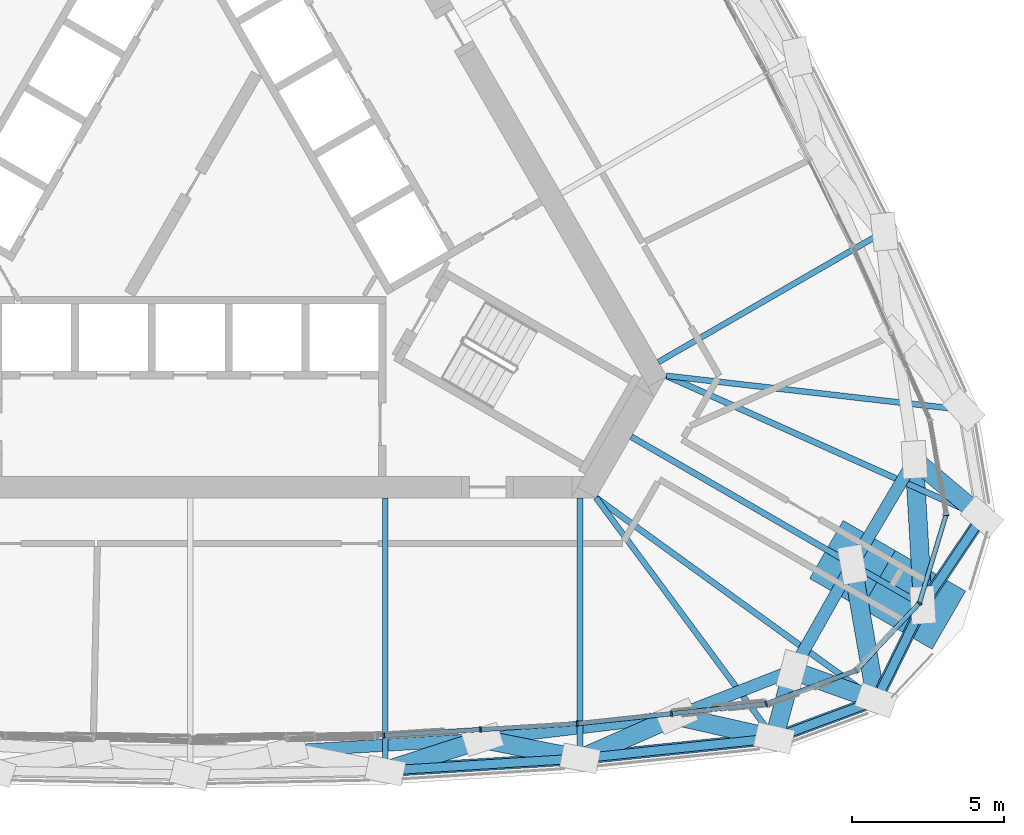
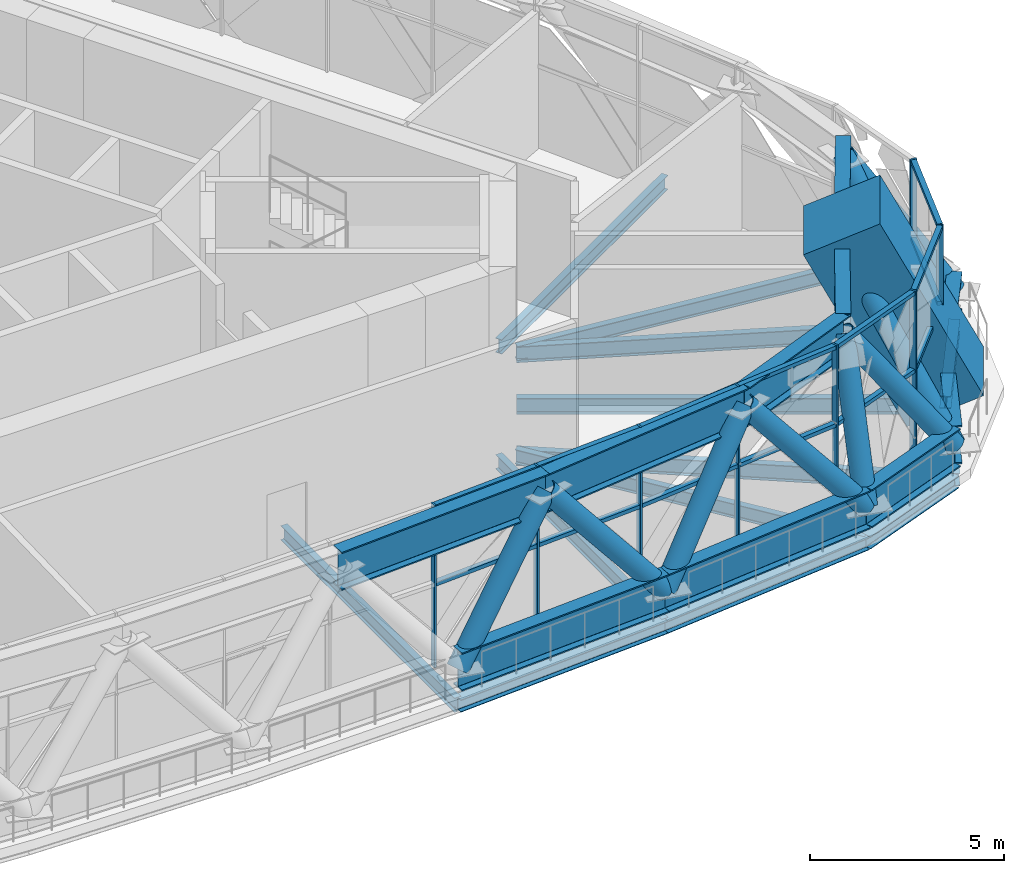
# One storey, part 5 of 33: 42 members, 13 beams, 2 elements without a shape of their own.
"""IFC4 building model written with IfcOpenShell, lengths in metres."""

from ifc_helpers import new_model, si_unit, direction, frame, origin, origin_2d, place, context, subcontext, project, spatial, rectangle, hollow_circle, i_section, extrude, material, material_profile, profile_set, type_object, element, aggregate, save


model = new_model("IFC4")

# Units and contexts
model_context = context("Model", 3, precision=1e-05, world=origin(), true_north=direction((0.0, 1.0)))
body_context = subcontext(model_context, "Body", "Model", "MODEL_VIEW")
ifc_project = project(units=[si_unit("LENGTHUNIT", "METRE"), si_unit("AREAUNIT", "SQUARE_METRE"), si_unit("VOLUMEUNIT", "CUBIC_METRE"), si_unit("PLANEANGLEUNIT", "RADIAN"), si_unit("MASSUNIT", "GRAM", prefix="KILO")], contexts=[model_context])

# Site, building, storey
site_placement = place(None, origin())
site = spatial("IfcSite", under=ifc_project, at=site_placement, CompositionType="ELEMENT")
building_placement = place(site_placement, origin())
building = spatial("IfcBuilding", under=site, at=building_placement, Name="Mestral Congress Tower", CompositionType="ELEMENT")
storey_placement = place(building_placement, frame((0.0, 0.0, 256.199951171875)))
storey = spatial("IfcBuildingStorey", under=building, at=storey_placement, Name="L60", CompositionType="ELEMENT", Elevation=256.199951171875)

# Members
ifc_material_1 = material(Name="Steel S355", Category="steel")
ifc_material_profile_1 = material_profile(ifc_material_1, i_section(OverallWidth=0.39990234375, OverallDepth=1.199951171875, WebThickness=0.02001953125, FlangeThickness=0.0400390625, FilletRadius=0.010009765625, at=origin_2d()), Name="WPG 1200")
ifc_profile_set_1 = profile_set([ifc_material_profile_1], Name="Steel S355")
member_type_1 = type_object("IfcMemberType", Name="Belt chord WPG 1200 S355", PredefinedType="CHORD", material=ifc_profile_set_1)
member_1_placement = place(storey_placement, frame((6.398193359375, -19.2978515625, 0.60009765625), z_axis=(0.998062363273, 0.062221531783, 0.0), x_axis=(-0.062221531783, 0.998062363273, 0.0)))
element("IfcMember", 1, at=member_1_placement, inside=storey, type_object=member_type_1, Name="MB-L60-BC4-S04", PredefinedType="CHORD", context=body_context, shape_type="SweptSolid", body=[
    extrude(i_section(OverallWidth=0.39990234375, OverallDepth=1.199951171875, WebThickness=0.02001953125, FlangeThickness=0.0400390625, FilletRadius=0.010009765625, at=origin_2d()), origin(), (0.0, 0.0, 1.0), 6.399658203125),
])
member_2_placement = place(storey_placement, frame((12.785400390625, -18.899658203125, 0.60009765625), z_axis=(0.99462127512, 0.103578564764, 0.0), x_axis=(-0.103578564764, 0.99462127512, 0.0)))
element("IfcMember", 2, at=member_2_placement, inside=storey, type_object=member_type_1, Name="MB-L60-BC4-S05", PredefinedType="CHORD", context=body_context, shape_type="SweptSolid", body=[
    extrude(i_section(OverallWidth=0.39990234375, OverallDepth=1.199951171875, WebThickness=0.02001953125, FlangeThickness=0.0400390625, FilletRadius=0.010009765625, at=origin_2d()), origin(), (0.0, 0.0, 1.0), 6.3994140625),
])
member_3_placement = place(storey_placement, frame((19.150390625, -18.23681640625, 0.60009765625), z_axis=(0.93759177789, 0.347737915725, 0.0), x_axis=(-0.347737915725, 0.93759177789, 0.0)))
element("IfcMember", 3, at=member_3_placement, inside=storey, type_object=member_type_1, Name="MB-L60-BC4-S06", PredefinedType="CHORD", context=body_context, shape_type="SweptSolid", body=[
    extrude(i_section(OverallWidth=0.39990234375, OverallDepth=1.199951171875, WebThickness=0.02001953125, FlangeThickness=0.0400390625, FilletRadius=0.010009765625, at=origin_2d()), origin(), (0.0, 0.0, 1.0), 3.566650390625),
])
member_4_placement = place(storey_placement, frame((22.494384765625, -16.99658203125, 0.60009765625), z_axis=(0.440494340717, 0.897755387506, 0.0), x_axis=(-0.897755387506, 0.440494340717, 0.0)))
element("IfcMember", 4, at=member_4_placement, inside=storey, type_object=member_type_1, Name="MB-L60-BC4-SE1", PredefinedType="CHORD", context=body_context, shape_type="SweptSolid", body=[
    extrude(i_section(OverallWidth=0.39990234375, OverallDepth=1.199951171875, WebThickness=0.02001953125, FlangeThickness=0.0400390625, FilletRadius=0.010009765625, at=origin_2d()), origin(), (0.0, 0.0, 1.0), 3.47998046875),
])
member_5_placement = place(storey_placement, frame((24.02734375, -13.872314453125, 0.60009765625), z_axis=(0.557206909955, 0.83037368666, 0.0), x_axis=(-0.83037368666, 0.557206909955, 0.0)))
element("IfcMember", 5, at=member_5_placement, inside=storey, type_object=member_type_1, Name="MB-L60-BC4-SE", PredefinedType="CHORD", context=body_context, shape_type="SweptSolid", body=[
    extrude(i_section(OverallWidth=0.39990234375, OverallDepth=1.199951171875, WebThickness=0.02001953125, FlangeThickness=0.0400390625, FilletRadius=0.010009765625, at=origin_2d()), origin(), (0.0, 0.0, 1.0), 3.480224609375),
])
member_6_placement = place(storey_placement, frame((3.199462890625, -18.6552734375, 4.5), z_axis=(0.998220413193, 0.059632262109, 0.0), x_axis=(-0.059632262109, 0.998220413193, 0.0)))
element("IfcMember", 6, at=member_6_placement, inside=storey, type_object=member_type_1, Name="MB-L60-TC4-S03", PredefinedType="CHORD", context=body_context, shape_type="SweptSolid", body=[
    extrude(i_section(OverallWidth=0.39990234375, OverallDepth=1.199951171875, WebThickness=0.02001953125, FlangeThickness=0.0400390625, FilletRadius=0.010009765625, at=origin_2d()), origin(), (0.0, 0.0, 1.0), 6.399169921875),
])
member_7_placement = place(storey_placement, frame((9.587158203125, -18.273681640625, 4.5), z_axis=(0.992889831026, 0.119036899508, 0.0), x_axis=(-0.119036899508, 0.992889831026, 0.0)))
element("IfcMember", 7, at=member_7_placement, inside=storey, type_object=member_type_1, Name="MB-L60-TC4-S04", PredefinedType="CHORD", context=body_context, shape_type="SweptSolid", body=[
    extrude(i_section(OverallWidth=0.39990234375, OverallDepth=1.199951171875, WebThickness=0.02001953125, FlangeThickness=0.0400390625, FilletRadius=0.010009765625, at=origin_2d()), origin(), (0.0, 0.0, 1.0), 6.39892578125),
])
member_8_placement = place(storey_placement, frame((15.940673828125, -17.511962890625, 4.5), z_axis=(0.930991071019, 0.365041950579, 0.0), x_axis=(-0.365041950579, 0.930991071019, 0.0)))
element("IfcMember", 8, at=member_8_placement, inside=storey, type_object=member_type_1, Name="MB-L60-TC4-S05", PredefinedType="CHORD", context=body_context, shape_type="SweptSolid", body=[
    extrude(i_section(OverallWidth=0.39990234375, OverallDepth=1.199951171875, WebThickness=0.02001953125, FlangeThickness=0.0400390625, FilletRadius=0.010009765625, at=origin_2d()), origin(), (0.0, 0.0, 1.0), 4.096435546875),
])
for number, where, z_axis, x_axis, name in (
    (9, (19.75439453125, -16.0166015625, 4.5), (0.491734929562, 0.870744944888, 0.0), (-0.870744944888, 0.491734929562, 0.0), "MB-L60-TC4-SE1"),
    (10, (21.71826171875, -12.5390625, 4.5), (0.508243178708, 0.861213603757, 0.0), (-0.861213603757, 0.508243178708, 0.0), "MB-L60-TC4-SE"),
):
    element("IfcMember", number, at=place(storey_placement, frame(where, z_axis=z_axis, x_axis=x_axis)), inside=storey, type_object=member_type_1, Name=name, PredefinedType="CHORD", context=body_context, shape_type="SweptSolid", body=[
        extrude(i_section(OverallWidth=0.39990234375, OverallDepth=1.199951171875, WebThickness=0.02001953125, FlangeThickness=0.0400390625, FilletRadius=0.010009765625, at=origin_2d()), origin(), (0.0, 0.0, 1.0), 3.99365234375),
    ])
ifc_material_profile_2 = material_profile(ifc_material_1, hollow_circle(Radius=0.304931640625, WallThickness=0.02490234375, at=origin_2d()), Name="CHS 610x25")
ifc_profile_set_2 = profile_set([ifc_material_profile_2], Name="Steel S355")
member_type_2 = type_object("IfcMemberType", Name="Belt diagonal CHS 610x25 S355", PredefinedType="BRACE", material=ifc_profile_set_2)
member_9_placement = place(storey_placement, frame((6.398193359375, -19.2978515625, 0.60009765625), z_axis=(0.620326570133, 0.199224464991, 0.758620167762), x_axis=(-0.305777942447, 0.952102856793, 0.0)))
element("IfcMember", 11, at=member_9_placement, inside=storey, type_object=member_type_2, Name="MD-L60-BD4-S04.S04", PredefinedType="BRACE", context=body_context, shape_type="SweptSolid", body=[
    extrude(hollow_circle(Radius=0.304931640625, WallThickness=0.02490234375, at=origin_2d()), origin(), (0.0, 0.0, 1.0), 5.140869140625),
])
member_10_placement = place(storey_placement, frame((12.785400390625, -18.899658203125, 0.60009765625), z_axis=(-0.629289530132, 0.123167813379, 0.767348927812), x_axis=(-0.192080621307, -0.981379149421, 0.0)))
element("IfcMember", 12, at=member_10_placement, inside=storey, type_object=member_type_2, Name="MD-L60-BD4-S05.S04", PredefinedType="BRACE", context=body_context, shape_type="SweptSolid", body=[
    extrude(hollow_circle(Radius=0.304931640625, WallThickness=0.02490234375, at=origin_2d()), origin(), (0.0, 0.0, 1.0), 5.082275390625),
])
member_11_placement = place(storey_placement, frame((12.785400390625, -18.899658203125, 0.60009765625), z_axis=(0.606215437726, 0.266614712785, 0.749279279034), x_axis=(-0.402586698669, 0.915381860239, 0.0)))
element("IfcMember", 13, at=member_11_placement, inside=storey, type_object=member_type_2, Name="MD-L60-BD4-S05.S05", PredefinedType="BRACE", context=body_context, shape_type="SweptSolid", body=[
    extrude(hollow_circle(Radius=0.304931640625, WallThickness=0.02490234375, at=origin_2d()), origin(), (0.0, 0.0, 1.0), 5.204833984375),
])
member_12_placement = place(storey_placement, frame((19.150390625, -18.23681640625, 0.60009765625), z_axis=(-0.629030644725, 0.142054612017, 0.764291132489), x_axis=(-0.220283643962, -0.975435859605, 0.0)))
element("IfcMember", 14, at=member_12_placement, inside=storey, type_object=member_type_2, Name="MD-L60-BD4-S06.S05", PredefinedType="BRACE", context=body_context, shape_type="SweptSolid", body=[
    extrude(hollow_circle(Radius=0.304931640625, WallThickness=0.02490234375, at=origin_2d()), origin(), (0.0, 0.0, 1.0), 5.1025390625),
])
member_13_placement = place(storey_placement, frame((19.150390625, -18.23681640625, 0.60009765625), z_axis=(0.13339104284, 0.490322612605, 0.861272642813), x_axis=(-0.964930133239, 0.262506834136, 0.0)))
element("IfcMember", 15, at=member_13_placement, inside=storey, type_object=member_type_2, Name="MD-L60-BD4-S06.SE1", PredefinedType="BRACE", context=body_context, shape_type="SweptSolid", body=[
    extrude(hollow_circle(Radius=0.304931640625, WallThickness=0.02490234375, at=origin_2d()), origin(), (0.0, 0.0, 1.0), 4.528076171875),
])
member_14_placement = place(storey_placement, frame((22.494384765625, -16.99658203125, 0.60009765625), z_axis=(-0.563098453181, 0.201396880609, 0.801473286209), x_axis=(-0.336766861466, -0.941588063337, 0.0)))
element("IfcMember", 16, at=member_14_placement, inside=storey, type_object=member_type_2, Name="MD-L60-BD4-SE1.SE1", PredefinedType="BRACE", context=body_context, shape_type="SweptSolid", body=[
    extrude(hollow_circle(Radius=0.304931640625, WallThickness=0.02490234375, at=origin_2d()), origin(), (0.0, 0.0, 1.0), 4.865966796875),
])
member_15_placement = place(storey_placement, frame((22.494384765625, -16.99658203125, 0.60009765625), z_axis=(-0.129930631722, 0.746232612134, 0.652882010419), x_axis=(-0.985178073493, -0.171534729742, 0.0)))
element("IfcMember", 17, at=member_15_placement, inside=storey, type_object=member_type_2, Name="MD-L60-BD4-SE1.SE", PredefinedType="BRACE", context=body_context, shape_type="SweptSolid", body=[
    extrude(hollow_circle(Radius=0.304931640625, WallThickness=0.02490234375, at=origin_2d()), origin(), (0.0, 0.0, 1.0), 5.973388671875),
])
member_16_placement = place(storey_placement, frame((24.02734375, -13.872314453125, 0.60009765625), z_axis=(-0.045268665293, 0.773563931659, 0.632099352617), x_axis=(-0.998292112496, -0.058419672448, 0.0)))
element("IfcMember", 18, at=member_16_placement, inside=storey, type_object=member_type_2, Name="MD-L60-BD4-SE.SE3", PredefinedType="BRACE", context=body_context, shape_type="SweptSolid", body=[
    extrude(hollow_circle(Radius=0.304931640625, WallThickness=0.02490234375, at=origin_2d()), origin(), (0.0, 0.0, 1.0), 6.169677734375),
])
member_17_placement = place(storey_placement, frame((25.966552734375, -10.982421875, 0.60009765625), z_axis=(-0.455938757316, 0.386948354399, 0.801492869965), x_axis=(-0.647066140846, -0.76243387213, 0.0)))
element("IfcMember", 19, at=member_17_placement, inside=storey, type_object=member_type_2, Name="MD-L60-BD4-SE3.SE3", PredefinedType="BRACE", context=body_context, shape_type="SweptSolid", body=[
    extrude(hollow_circle(Radius=0.304931640625, WallThickness=0.02490234375, at=origin_2d()), origin(), (0.0, 0.0, 1.0), 4.86572265625),
])

# Curtain wall, members
ifc_material_2 = material(Name="Clear low-emissivity double glazing", Category="glass")
curtain_wall_type = type_object("IfcCurtainWallType", Name="Facade refuge band screen", PredefinedType="USERDEFINED", material=ifc_material_2)
placement = place(storey_placement, origin())
curtain_wall_1 = element("IfcCurtainWall", 20, at=placement, inside=storey, type_object=curtain_wall_type, Name="Facade refuge band screen face 1", ObjectType="CURTAIN WALL", PredefinedType="USERDEFINED")
ifc_material_3 = material(Name="Anodised aluminium", Category="aluminium")
ifc_material_profile_3 = material_profile(ifc_material_3, rectangle(XDim=0.179931640625, YDim=0.06005859375, at=origin_2d()), Name="CW3 mullion 180 x 60")
ifc_profile_set_3 = profile_set([ifc_material_profile_3], Name="Anodised aluminium")
member_type_3 = type_object("IfcMemberType", Name="Facade refuge band screen mullion", PredefinedType="MULLION", material=ifc_profile_set_3)
member_18_placement = place(storey_placement, frame((6.350341796875, -18.148681640625, 0.0), z_axis=(0.0, 0.0, 1.0), x_axis=(0.041492015025, -0.999138835542, 0.0)))
member_18 = element("IfcMember", 21, at=member_18_placement, type_object=member_type_3, Name="Facade refuge band screen mullion", PredefinedType="MULLION", context=body_context, shape_type="SweptSolid", body=[
    extrude(rectangle(XDim=0.179931640625, YDim=0.06005859375, at=origin_2d()), origin(), (0.0, 0.0, 1.0), 5.10009765625),
])
member_19_placement = place(storey_placement, frame((9.520263671875, -17.950927734375, 0.0), z_axis=(0.0, 0.0, 1.0), x_axis=(0.062217428964, -0.998062619044, 0.0)))
member_19 = element("IfcMember", 22, at=member_19_placement, type_object=member_type_3, Name="Facade refuge band screen mullion", PredefinedType="MULLION", context=body_context, shape_type="SweptSolid", body=[
    extrude(rectangle(XDim=0.179931640625, YDim=0.06005859375, at=origin_2d()), origin(), (0.0, 0.0, 1.0), 5.10009765625),
])
member_20_placement = place(storey_placement, frame((12.68994140625, -17.75341796875, 0.0), z_axis=(0.0, 0.0, 1.0), x_axis=(0.082914306473, -0.996556680667, 0.0)))
member_20 = element("IfcMember", 23, at=member_20_placement, type_object=member_type_3, Name="Facade refuge band screen mullion", PredefinedType="MULLION", context=body_context, shape_type="SweptSolid", body=[
    extrude(rectangle(XDim=0.179931640625, YDim=0.06005859375, at=origin_2d()), origin(), (0.0, 0.0, 1.0), 5.10009765625),
])
member_21_placement = place(storey_placement, frame((15.788330078125, -17.4306640625, 0.0), z_axis=(0.0, 0.0, 1.0), x_axis=(0.103575478711, -0.994621596493, 0.0)))
member_21 = element("IfcMember", 24, at=member_21_placement, type_object=member_type_3, Name="Facade refuge band screen mullion", PredefinedType="MULLION", context=body_context, shape_type="SweptSolid", body=[
    extrude(rectangle(XDim=0.179931640625, YDim=0.06005859375, at=origin_2d()), origin(), (0.0, 0.0, 1.0), 5.10009765625),
])

curtain_wall_2 = element("IfcCurtainWall", 25, at=placement, inside=storey, type_object=curtain_wall_type, Name="Facade refuge band screen corner 1", ObjectType="CURTAIN WALL", PredefinedType="USERDEFINED")
member_22_placement = place(storey_placement, frame((18.88671875, -17.108154296875, 0.0), z_axis=(0.0, 0.0, 1.0), x_axis=(0.347763800219, -0.937582177335, 0.0)))
member_22 = element("IfcMember", 26, at=member_22_placement, type_object=member_type_3, Name="Facade refuge band screen mullion", PredefinedType="MULLION", context=body_context, shape_type="SweptSolid", body=[
    extrude(rectangle(XDim=0.179931640625, YDim=0.06005859375, at=origin_2d()), origin(), (0.0, 0.0, 1.0), 5.10009765625),
])
member_23_placement = place(storey_placement, frame((21.84130859375, -16.01220703125, 0.0), z_axis=(0.0, 0.0, 1.0), x_axis=(0.552913183563, -0.833238868178, 0.0)))
member_23 = element("IfcMember", 27, at=member_23_placement, type_object=member_type_3, Name="Facade refuge band screen mullion", PredefinedType="MULLION", context=body_context, shape_type="SweptSolid", body=[
    extrude(rectangle(XDim=0.179931640625, YDim=0.06005859375, at=origin_2d()), origin(), (0.0, 0.0, 1.0), 5.10009765625),
])
member_24_placement = place(storey_placement, frame((23.913818359375, -13.806640625, 0.0), z_axis=(0.0, 0.0, 1.0), x_axis=(0.866025403784, -0.5, 0.0)))
member_24 = element("IfcMember", 28, at=member_24_placement, type_object=member_type_3, Name="Facade refuge band screen mullion", PredefinedType="MULLION", context=body_context, shape_type="SweptSolid", body=[
    extrude(rectangle(XDim=0.179931640625, YDim=0.06005859375, at=origin_2d()), origin(), (0.0, 0.0, 1.0), 5.10009765625),
])
member_25_placement = place(storey_placement, frame((24.78759765625, -10.908935546875, 0.0), z_axis=(0.0, 0.0, 1.0), x_axis=(0.998062619044, -0.062217428964, 0.0)))
member_25 = element("IfcMember", 29, at=member_25_placement, type_object=member_type_3, Name="Facade refuge band screen mullion", PredefinedType="MULLION", context=body_context, shape_type="SweptSolid", body=[
    extrude(rectangle(XDim=0.179931640625, YDim=0.06005859375, at=origin_2d()), origin(), (0.0, 0.0, 1.0), 5.10009765625),
])

# Member
ifc_material_profile_4 = material_profile(ifc_material_3, rectangle(XDim=0.14990234375, YDim=0.1201171875, at=origin_2d()), Name="CW3 transom 150 x 120")
ifc_profile_set_4 = profile_set([ifc_material_profile_4], Name="Anodised aluminium")
member_type_4 = type_object("IfcMemberType", Name="Facade refuge band screen transom", PredefinedType="USERDEFINED", material=ifc_profile_set_4)
member_26_placement = place(storey_placement, frame((6.38037109375, -18.146728515625, 2.60009765625), z_axis=(0.998062930494, 0.062212432628, 0.0), x_axis=(-0.062212432628, 0.998062930494, 0.0)))
member_26 = element("IfcMember", 30, at=member_26_placement, type_object=member_type_4, Name="Facade refuge band screen transom", ObjectType="TRANSOM", PredefinedType="USERDEFINED", context=body_context, shape_type="SweptSolid", body=[
    extrude(rectangle(XDim=0.14990234375, YDim=0.1201171875, at=origin_2d()), origin(), (0.0, 0.0, 1.0), 3.115966796875),
])

member_27_placement = place(storey_placement, frame((6.38037109375, -18.146728515625, 5.0400390625), z_axis=(0.998062930494, 0.062212432628, 0.0), x_axis=(-0.062212432628, 0.998062930494, 0.0)))
member_27 = element("IfcMember", 31, at=member_27_placement, type_object=member_type_4, Name="Facade refuge band screen transom", ObjectType="TRANSOM", PredefinedType="USERDEFINED", context=body_context, shape_type="SweptSolid", body=[
    extrude(rectangle(XDim=0.14990234375, YDim=0.1201171875, at=origin_2d()), origin(), (0.0, 0.0, 1.0), 3.115966796875),
])

member_28_placement = place(storey_placement, frame((9.550048828125, -17.94921875, 2.60009765625), z_axis=(0.998062930494, 0.062212432628, 0.0), x_axis=(-0.062212432628, 0.998062930494, 0.0)))
member_28 = element("IfcMember", 32, at=member_28_placement, type_object=member_type_4, Name="Facade refuge band screen transom", ObjectType="TRANSOM", PredefinedType="USERDEFINED", context=body_context, shape_type="SweptSolid", body=[
    extrude(rectangle(XDim=0.14990234375, YDim=0.1201171875, at=origin_2d()), origin(), (0.0, 0.0, 1.0), 3.115966796875),
])

member_29_placement = place(storey_placement, frame((9.550048828125, -17.94921875, 5.0400390625), z_axis=(0.998062930494, 0.062212432628, 0.0), x_axis=(-0.062212432628, 0.998062930494, 0.0)))
member_29 = element("IfcMember", 33, at=member_29_placement, type_object=member_type_4, Name="Facade refuge band screen transom", ObjectType="TRANSOM", PredefinedType="USERDEFINED", context=body_context, shape_type="SweptSolid", body=[
    extrude(rectangle(XDim=0.14990234375, YDim=0.1201171875, at=origin_2d()), origin(), (0.0, 0.0, 1.0), 3.115966796875),
])

member_30_placement = place(storey_placement, frame((12.7197265625, -17.750244140625, 2.60009765625), z_axis=(0.994623039785, 0.103561618025, 0.0), x_axis=(-0.103561618025, 0.994623039785, 0.0)))
member_30 = element("IfcMember", 34, at=member_30_placement, type_object=member_type_4, Name="Facade refuge band screen transom", ObjectType="TRANSOM", PredefinedType="USERDEFINED", context=body_context, shape_type="SweptSolid", body=[
    extrude(rectangle(XDim=0.14990234375, YDim=0.1201171875, at=origin_2d()), origin(), (0.0, 0.0, 1.0), 3.05517578125),
])

member_31_placement = place(storey_placement, frame((12.7197265625, -17.750244140625, 5.0400390625), z_axis=(0.994623039785, 0.103561618025, 0.0), x_axis=(-0.103561618025, 0.994623039785, 0.0)))
member_31 = element("IfcMember", 35, at=member_31_placement, type_object=member_type_4, Name="Facade refuge band screen transom", ObjectType="TRANSOM", PredefinedType="USERDEFINED", context=body_context, shape_type="SweptSolid", body=[
    extrude(rectangle(XDim=0.14990234375, YDim=0.1201171875, at=origin_2d()), origin(), (0.0, 0.0, 1.0), 3.05517578125),
])

member_32_placement = place(storey_placement, frame((15.818115234375, -17.427490234375, 2.60009765625), z_axis=(0.994623039785, 0.103561618025, 0.0), x_axis=(-0.103561618025, 0.994623039785, 0.0)))
member_32 = element("IfcMember", 36, at=member_32_placement, type_object=member_type_4, Name="Facade refuge band screen transom", ObjectType="TRANSOM", PredefinedType="USERDEFINED", context=body_context, shape_type="SweptSolid", body=[
    extrude(rectangle(XDim=0.14990234375, YDim=0.1201171875, at=origin_2d()), origin(), (0.0, 0.0, 1.0), 3.05517578125),
])

member_33_placement = place(storey_placement, frame((15.818115234375, -17.427490234375, 5.0400390625), z_axis=(0.994623039785, 0.103561618025, 0.0), x_axis=(-0.103561618025, 0.994623039785, 0.0)))
member_33 = element("IfcMember", 37, at=member_33_placement, type_object=member_type_4, Name="Facade refuge band screen transom", ObjectType="TRANSOM", PredefinedType="USERDEFINED", context=body_context, shape_type="SweptSolid", body=[
    extrude(rectangle(XDim=0.14990234375, YDim=0.1201171875, at=origin_2d()), origin(), (0.0, 0.0, 1.0), 3.05517578125),
])

aggregate(curtain_wall_1, [member_18, member_19, member_20, member_21, member_26, member_27, member_28, member_29, member_30, member_31, member_32, member_33])

member_34_placement = place(storey_placement, frame((18.914794921875, -17.09765625, 2.60009765625), z_axis=(0.937595291353, 0.347728442371, 0.0), x_axis=(-0.347728442371, 0.937595291353, 0.0)))
member_34 = element("IfcMember", 38, at=member_34_placement, type_object=member_type_4, Name="Facade refuge band screen transom", ObjectType="TRANSOM", PredefinedType="USERDEFINED", context=body_context, shape_type="SweptSolid", body=[
    extrude(rectangle(XDim=0.14990234375, YDim=0.1201171875, at=origin_2d()), origin(), (0.0, 0.0, 1.0), 3.09130859375),
])

member_35_placement = place(storey_placement, frame((18.914794921875, -17.09765625, 5.0400390625), z_axis=(0.937595291353, 0.347728442371, 0.0), x_axis=(-0.347728442371, 0.937595291353, 0.0)))
member_35 = element("IfcMember", 39, at=member_35_placement, type_object=member_type_4, Name="Facade refuge band screen transom", ObjectType="TRANSOM", PredefinedType="USERDEFINED", context=body_context, shape_type="SweptSolid", body=[
    extrude(rectangle(XDim=0.14990234375, YDim=0.1201171875, at=origin_2d()), origin(), (0.0, 0.0, 1.0), 3.09130859375),
])

member_36_placement = place(storey_placement, frame((21.86181640625, -15.990234375, 2.60009765625), z_axis=(0.684792033409, 0.728738547752, 0.0), x_axis=(-0.728738547752, 0.684792033409, 0.0)))
member_36 = element("IfcMember", 40, at=member_36_placement, type_object=member_type_4, Name="Facade refuge band screen transom", ObjectType="TRANSOM", PredefinedType="USERDEFINED", context=body_context, shape_type="SweptSolid", body=[
    extrude(rectangle(XDim=0.14990234375, YDim=0.1201171875, at=origin_2d()), origin(), (0.0, 0.0, 1.0), 2.966552734375),
])

member_37_placement = place(storey_placement, frame((21.86181640625, -15.990234375, 5.0400390625), z_axis=(0.684792033409, 0.728738547752, 0.0), x_axis=(-0.728738547752, 0.684792033409, 0.0)))
member_37 = element("IfcMember", 41, at=member_37_placement, type_object=member_type_4, Name="Facade refuge band screen transom", ObjectType="TRANSOM", PredefinedType="USERDEFINED", context=body_context, shape_type="SweptSolid", body=[
    extrude(rectangle(XDim=0.14990234375, YDim=0.1201171875, at=origin_2d()), origin(), (0.0, 0.0, 1.0), 2.966552734375),
])

member_38_placement = place(storey_placement, frame((23.92236328125, -13.77783203125, 2.60009765625), z_axis=(0.288789692452, 0.957392559786, 0.0), x_axis=(-0.957392559786, 0.288789692452, 0.0)))
member_38 = element("IfcMember", 42, at=member_38_placement, type_object=member_type_4, Name="Facade refuge band screen transom", ObjectType="TRANSOM", PredefinedType="USERDEFINED", context=body_context, shape_type="SweptSolid", body=[
    extrude(rectangle(XDim=0.14990234375, YDim=0.1201171875, at=origin_2d()), origin(), (0.0, 0.0, 1.0), 2.966552734375),
])

member_39_placement = place(storey_placement, frame((23.92236328125, -13.77783203125, 5.0400390625), z_axis=(0.288789692452, 0.957392559786, 0.0), x_axis=(-0.957392559786, 0.288789692452, 0.0)))
member_39 = element("IfcMember", 43, at=member_39_placement, type_object=member_type_4, Name="Facade refuge band screen transom", ObjectType="TRANSOM", PredefinedType="USERDEFINED", context=body_context, shape_type="SweptSolid", body=[
    extrude(rectangle(XDim=0.14990234375, YDim=0.1201171875, at=origin_2d()), origin(), (0.0, 0.0, 1.0), 2.966552734375),
])

aggregate(curtain_wall_2, [member_22, member_23, member_24, member_25, member_34, member_35, member_36, member_37, member_38, member_39])

# Beams
ifc_material_profile_5 = material_profile(ifc_material_1, i_section(OverallWidth=0.18994140625, OverallDepth=0.449951171875, WebThickness=0.009521484375, FlangeThickness=0.0146484375, FilletRadius=0.02099609375, at=origin_2d()), Name="IPE 450")
ifc_profile_set_5 = profile_set([ifc_material_profile_5], Name="Steel S355")
beam_type_1 = type_object("IfcBeamType", Name="Floor beam IPE 450 S355", PredefinedType="BEAM", material=ifc_profile_set_5)
beam_1_placement = place(storey_placement, frame((6.398193359375, -19.2978515625, -0.52490234375), z_axis=(0.0, 1.0, 0.0), x_axis=(-1.0, 0.0, 0.0)))
element("IfcBeam", 44, at=beam_1_placement, inside=storey, type_object=beam_type_1, Name="BM-L60-RB4-S04", PredefinedType="BEAM", context=body_context, shape_type="SweptSolid", body=[
    extrude(i_section(OverallWidth=0.18994140625, OverallDepth=0.449951171875, WebThickness=0.009521484375, FlangeThickness=0.0146484375, FilletRadius=0.02099609375, at=origin_2d()), origin(), (0.0, 0.0, 1.0), 8.94775390625),
])
beam_2_placement = place(storey_placement, frame((12.785400390625, -18.899658203125, -0.52490234375), z_axis=(0.0, 1.0, 0.0), x_axis=(-1.0, 0.0, 0.0)))
element("IfcBeam", 45, at=beam_2_placement, inside=storey, type_object=beam_type_1, Name="BM-L60-RB4-S05", PredefinedType="BEAM", context=body_context, shape_type="SweptSolid", body=[
    extrude(i_section(OverallWidth=0.18994140625, OverallDepth=0.449951171875, WebThickness=0.009521484375, FlangeThickness=0.0146484375, FilletRadius=0.02099609375, at=origin_2d()), origin(), (0.0, 0.0, 1.0), 8.549560546875),
])
beam_3_placement = place(storey_placement, frame((19.150390625, -18.23681640625, -0.52490234375), z_axis=(-0.59526145727, 0.803532076204, 0.0), x_axis=(-0.803532076204, -0.59526145727, 0.0)))
element("IfcBeam", 46, at=beam_3_placement, inside=storey, type_object=beam_type_1, Name="BM-L60-RB4-S06", PredefinedType="BEAM", context=body_context, shape_type="SweptSolid", body=[
    extrude(i_section(OverallWidth=0.18994140625, OverallDepth=0.449951171875, WebThickness=0.009521484375, FlangeThickness=0.0146484375, FilletRadius=0.02099609375, at=origin_2d()), origin(), (0.0, 0.0, 1.0), 9.815185546875),
])
beam_4_placement = place(storey_placement, frame((25.368896484375, -7.46630859375, -0.52490234375), z_axis=(-0.993512774848, 0.113720561966, 0.0), x_axis=(-0.113720561966, -0.993512774848, 0.0)))
element("IfcBeam", 47, at=beam_4_placement, inside=storey, type_object=beam_type_1, Name="BM-L60-RB4-E00", PredefinedType="BEAM", context=body_context, shape_type="SweptSolid", body=[
    extrude(i_section(OverallWidth=0.18994140625, OverallDepth=0.449951171875, WebThickness=0.009521484375, FlangeThickness=0.0146484375, FilletRadius=0.02099609375, at=origin_2d()), origin(), (0.0, 0.0, 1.0), 9.8154296875),
])
beam_5_placement = place(storey_placement, frame((22.76025390625, -1.62255859375, -0.52490234375), z_axis=(-0.866023907196, -0.500002592159, 0.0), x_axis=(0.500002592159, -0.866023907196, 0.0)))
element("IfcBeam", 48, at=beam_5_placement, inside=storey, type_object=beam_type_1, Name="BM-L60-RB4-E01", PredefinedType="BEAM", context=body_context, shape_type="SweptSolid", body=[
    extrude(i_section(OverallWidth=0.18994140625, OverallDepth=0.449951171875, WebThickness=0.009521484375, FlangeThickness=0.0146484375, FilletRadius=0.02099609375, at=origin_2d()), origin(), (0.0, 0.0, 1.0), 8.5498046875),
])
ifc_material_profile_6 = material_profile(ifc_material_1, i_section(OverallWidth=0.199951171875, OverallDepth=0.5, WebThickness=0.01025390625, FlangeThickness=0.01611328125, FilletRadius=0.02099609375, at=origin_2d()), Name="IPE 500")
ifc_profile_set_6 = profile_set([ifc_material_profile_6], Name="Steel S355")
beam_type_2 = type_object("IfcBeamType", Name="Floor beam IPE 500 S355", PredefinedType="BEAM", material=ifc_profile_set_6)
beam_6_placement = place(storey_placement, frame((22.494384765625, -16.99658203125, -0.550048828125), z_axis=(-0.810186119518, 0.58617271494, 0.0), x_axis=(-0.58617271494, -0.810186119518, 0.0)))
element("IfcBeam", 49, at=beam_6_placement, inside=storey, type_object=beam_type_2, Name="BM-L60-RB4-SE1", PredefinedType="BEAM", context=body_context, shape_type="SweptSolid", body=[
    extrude(i_section(OverallWidth=0.199951171875, OverallDepth=0.5, WebThickness=0.01025390625, FlangeThickness=0.01611328125, FilletRadius=0.02099609375, at=origin_2d()), origin(), (0.0, 0.0, 1.0), 11.3388671875),
])
beam_7_placement = place(storey_placement, frame((24.02734375, -13.872314453125, -0.550048828125), z_axis=(-0.866014410301, 0.500019040789, 0.0), x_axis=(-0.500019040789, -0.866014410301, 0.0)))
element("IfcBeam", 50, at=beam_7_placement, inside=storey, type_object=beam_type_2, Name="BM-L60-RB4-SE", PredefinedType="BEAM", context=body_context, shape_type="SweptSolid", body=[
    extrude(i_section(OverallWidth=0.199951171875, OverallDepth=0.5, WebThickness=0.01025390625, FlangeThickness=0.01611328125, FilletRadius=0.02099609375, at=origin_2d()), origin(), (0.0, 0.0, 1.0), 11.04443359375),
])
beam_8_placement = place(storey_placement, frame((25.966552734375, -10.982421875, -0.550048828125), z_axis=(-0.912741142231, 0.4085383792, 0.0), x_axis=(-0.4085383792, -0.912741142231, 0.0)))
element("IfcBeam", 51, at=beam_8_placement, inside=storey, type_object=beam_type_2, Name="BM-L60-RB4-SE3", PredefinedType="BEAM", context=body_context, shape_type="SweptSolid", body=[
    extrude(i_section(OverallWidth=0.199951171875, OverallDepth=0.5, WebThickness=0.01025390625, FlangeThickness=0.01611328125, FilletRadius=0.02099609375, at=origin_2d()), origin(), (0.0, 0.0, 1.0), 11.3388671875),
])

# Member
ifc_material_4 = material(Name="Concrete C60/75", Category="concrete")
ifc_material_profile_7 = material_profile(ifc_material_4, rectangle(XDim=2.199951171875, YDim=2.199951171875, at=origin_2d()), Name="RC 2200x2200")
ifc_profile_set_7 = profile_set([ifc_material_profile_7], Name="Concrete C60/75")
member_type_5 = type_object("IfcMemberType", Name="Pylon shift strut RC 2200x2200 C60/75", PredefinedType="STRUT", material=ifc_profile_set_7)
member_40_placement = place(storey_placement, frame((24.02734375, -13.872314453125, 0.0), z_axis=(-0.383406596977, 0.221376974635, 0.896655795997), x_axis=(-0.50002892151, -0.866008705299, 0.0)))
element("IfcMember", 52, at=member_40_placement, inside=storey, type_object=member_type_5, Name="MS-L60-PS4-SE", PredefinedType="STRUT", context=body_context, shape_type="SweptSolid", body=[
    extrude(rectangle(XDim=2.199951171875, YDim=2.199951171875, at=origin_2d()), origin(), (0.0, 0.0, 1.0), 6.0224609375),
])

# Beams
ifc_material_profile_8 = material_profile(ifc_material_1, i_section(OverallWidth=0.300048828125, OverallDepth=0.389892578125, WebThickness=0.010986328125, FlangeThickness=0.01904296875, FilletRadius=0.027099609375, at=origin_2d()), Name="HEA 400")
ifc_profile_set_8 = profile_set([ifc_material_profile_8], Name="Steel S355")
beam_type_3 = type_object("IfcBeamType", Name="Spandrel beam HEA 400 S355", PredefinedType="BEAM", material=ifc_profile_set_8)
beam_9_placement = place(storey_placement, frame((6.398193359375, -19.2978515625, -0.494873046875), z_axis=(0.998062363273, 0.062221531783, 0.0), x_axis=(-0.062221531783, 0.998062363273, 0.0)))
element("IfcBeam", 53, at=beam_9_placement, inside=storey, type_object=beam_type_3, Name="SP-L60-SB4-S04", PredefinedType="BEAM", context=body_context, shape_type="SweptSolid", body=[
    extrude(i_section(OverallWidth=0.300048828125, OverallDepth=0.389892578125, WebThickness=0.010986328125, FlangeThickness=0.01904296875, FilletRadius=0.027099609375, at=origin_2d()), origin(), (0.0, 0.0, 1.0), 6.399658203125),
])
beam_10_placement = place(storey_placement, frame((12.785400390625, -18.899658203125, -0.494873046875), z_axis=(0.99462127512, 0.103578564764, 0.0), x_axis=(-0.103578564764, 0.99462127512, 0.0)))
element("IfcBeam", 54, at=beam_10_placement, inside=storey, type_object=beam_type_3, Name="SP-L60-SB4-S05", PredefinedType="BEAM", context=body_context, shape_type="SweptSolid", body=[
    extrude(i_section(OverallWidth=0.300048828125, OverallDepth=0.389892578125, WebThickness=0.010986328125, FlangeThickness=0.01904296875, FilletRadius=0.027099609375, at=origin_2d()), origin(), (0.0, 0.0, 1.0), 6.3994140625),
])
beam_11_placement = place(storey_placement, frame((19.150390625, -18.23681640625, -0.494873046875), z_axis=(0.93759177789, 0.347737915725, 0.0), x_axis=(-0.347737915725, 0.93759177789, 0.0)))
element("IfcBeam", 55, at=beam_11_placement, inside=storey, type_object=beam_type_3, Name="SP-L60-SB4-S06", PredefinedType="BEAM", context=body_context, shape_type="SweptSolid", body=[
    extrude(i_section(OverallWidth=0.300048828125, OverallDepth=0.389892578125, WebThickness=0.010986328125, FlangeThickness=0.01904296875, FilletRadius=0.027099609375, at=origin_2d()), origin(), (0.0, 0.0, 1.0), 3.566650390625),
])
beam_12_placement = place(storey_placement, frame((22.494384765625, -16.99658203125, -0.494873046875), z_axis=(0.440494340717, 0.897755387506, 0.0), x_axis=(-0.897755387506, 0.440494340717, 0.0)))
element("IfcBeam", 56, at=beam_12_placement, inside=storey, type_object=beam_type_3, Name="SP-L60-SB4-SE1", PredefinedType="BEAM", context=body_context, shape_type="SweptSolid", body=[
    extrude(i_section(OverallWidth=0.300048828125, OverallDepth=0.389892578125, WebThickness=0.010986328125, FlangeThickness=0.01904296875, FilletRadius=0.027099609375, at=origin_2d()), origin(), (0.0, 0.0, 1.0), 3.47998046875),
])
beam_13_placement = place(storey_placement, frame((24.02734375, -13.872314453125, -0.494873046875), z_axis=(0.557206909955, 0.83037368666, 0.0), x_axis=(-0.83037368666, 0.557206909955, 0.0)))
element("IfcBeam", 57, at=beam_13_placement, inside=storey, type_object=beam_type_3, Name="SP-L60-SB4-SE", PredefinedType="BEAM", context=body_context, shape_type="SweptSolid", body=[
    extrude(i_section(OverallWidth=0.300048828125, OverallDepth=0.389892578125, WebThickness=0.010986328125, FlangeThickness=0.01904296875, FilletRadius=0.027099609375, at=origin_2d()), origin(), (0.0, 0.0, 1.0), 3.480224609375),
])

save(model, "model.ifc")
